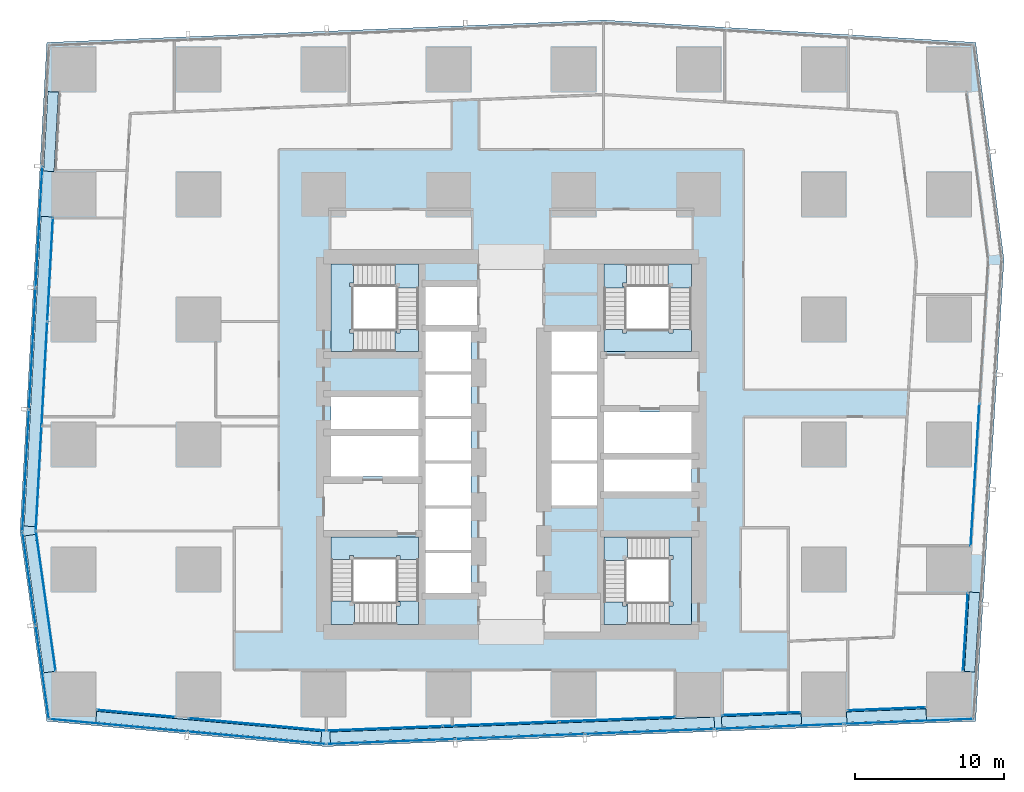
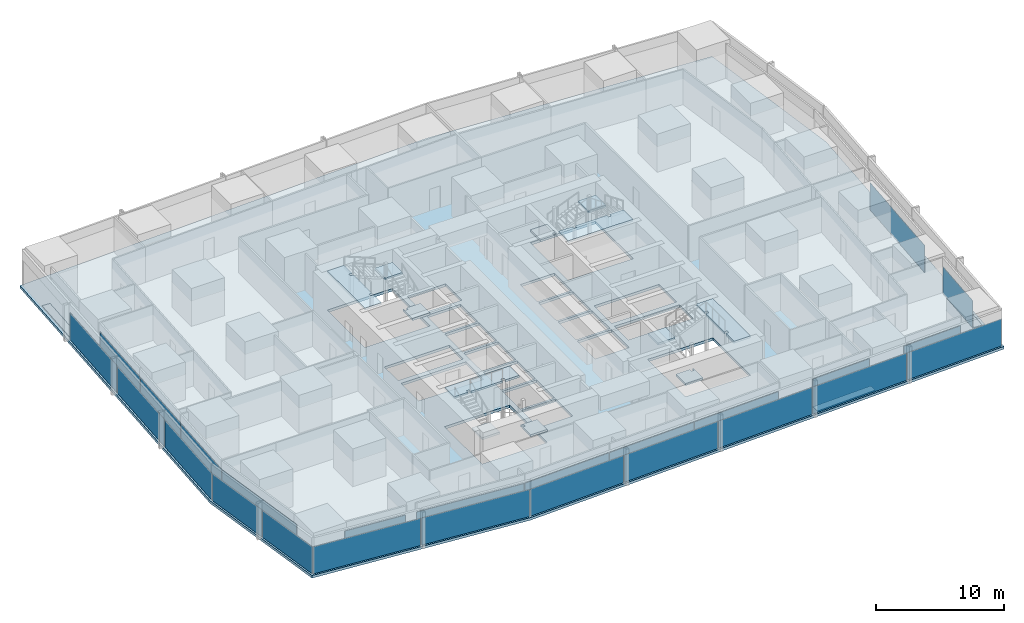
# One storey, part 27 of 39: 33 plates, 13 slabs, 17 elements without a shape of their own.
"""IFC4 building model written with IfcOpenShell, lengths in metres."""

from ifc_helpers import new_model, si_unit, direction, frame, origin, origin_2d, place, context, subcontext, project, spatial, polyline, rectangle, outline, extrude, material, layer, layer_set, type_object, element, aggregate, save


model = new_model("IFC4")

# Units and contexts
model_context = context("Model", 3, precision=1e-05, world=origin(), true_north=direction((0.0, 1.0)))
body_context = subcontext(model_context, "Body", "Model", "MODEL_VIEW")
ifc_project = project(units=[si_unit("LENGTHUNIT", "METRE"), si_unit("AREAUNIT", "SQUARE_METRE"), si_unit("VOLUMEUNIT", "CUBIC_METRE"), si_unit("PLANEANGLEUNIT", "RADIAN"), si_unit("MASSUNIT", "GRAM", prefix="KILO")], contexts=[model_context])

# Site, building, storey
site_placement = place(None, origin())
site = spatial("IfcSite", under=ifc_project, at=site_placement, CompositionType="ELEMENT")
building_placement = place(site_placement, origin())
building = spatial("IfcBuilding", under=site, at=building_placement, Name="Rekha Terrace Tower", CompositionType="ELEMENT")
storey_placement = place(building_placement, frame((0.0, 0.0, 155.300048828125)))
storey = spatial("IfcBuildingStorey", under=building, at=storey_placement, Name="L39", CompositionType="ELEMENT", Elevation=155.300048828125)

# Curtain wall, plate
ifc_material_1 = material(Name="Aluminium framing", Category="aluminium")
curtain_wall_type_1 = type_object("IfcCurtainWallType", Name="CW1 double skin inner glazing", PredefinedType="USERDEFINED", material=ifc_material_1)
curtain_wall_1_placement = place(storey_placement, origin())
curtain_wall_1 = element("IfcCurtainWall", 1, at=curtain_wall_1_placement, inside=storey, type_object=curtain_wall_type_1, Name="CW1 double skin inner glazing", ObjectType="DOUBLE SKIN INNER GLAZING", PredefinedType="USERDEFINED")
ifc_material_2 = material(Name="Double-glazed low-e unit 32", Category="glass")
ifc_layer_1 = layer(ifc_material_2, 0.031982421875)
ifc_layer_set_1 = layer_set([ifc_layer_1], Name="Double-glazed low-e unit 32")
plate_type_1 = type_object("IfcPlateType", Name="CW1 jumbo vision panel, double-glazed low-e unit 32", PredefinedType="CURTAIN_PANEL", material=ifc_layer_set_1)
plate_1_placement = place(storey_placement, frame((12.60009765625, 15.51953125, 0.0), z_axis=(0.0, 0.0, 1.0), x_axis=(0.995901923134, -0.090439811468, 0.0)))
plate_1 = element("IfcPlate", 2, at=plate_1_placement, type_object=plate_type_1, Name="CW1 panel 1.1", PredefinedType="CURTAIN_PANEL", context=body_context, shape_type="SweptSolid", body=[
    extrude(rectangle(XDim=5.23486328125, YDim=0.031982421875, at=origin_2d()), origin(), (0.0, 0.0, 1.0), 2.60009765625),
])
aggregate(curtain_wall_1, [plate_1])

curtain_wall_2_placement = place(storey_placement, origin())
curtain_wall_2 = element("IfcCurtainWall", 3, at=curtain_wall_2_placement, inside=storey, type_object=curtain_wall_type_1, Name="CW1 double skin inner glazing", ObjectType="DOUBLE SKIN INNER GLAZING", PredefinedType="USERDEFINED")
plate_2_placement = place(storey_placement, frame((20.745361328125, 14.77978515625, 0.0), z_axis=(0.0, 0.0, 1.0), x_axis=(0.995901923143, -0.090439811364, 0.0)))
plate_2 = element("IfcPlate", 4, at=plate_2_placement, type_object=plate_type_1, Name="CW1 panel 1.1", PredefinedType="CURTAIN_PANEL", context=body_context, shape_type="SweptSolid", body=[
    extrude(rectangle(XDim=9.241943359375, YDim=0.031982421875, at=origin_2d()), origin(), (0.0, 0.0, 1.0), 2.60009765625),
])
aggregate(curtain_wall_2, [plate_2])

# Curtain wall, plates
curtain_wall_3_placement = place(storey_placement, origin())
curtain_wall_3 = element("IfcCurtainWall", 5, at=curtain_wall_3_placement, inside=storey, type_object=curtain_wall_type_1, Name="CW1 double skin inner glazing", ObjectType="DOUBLE SKIN INNER GLAZING", PredefinedType="USERDEFINED")
plate_3_placement = place(storey_placement, frame((29.285888671875, 14.51513671875, 0.0), z_axis=(0.0, 0.0, 1.0), x_axis=(0.999243498917, 0.038889971345, 0.0)))
plate_3 = element("IfcPlate", 6, at=plate_3_placement, type_object=plate_type_1, Name="CW1 panel 1.1", PredefinedType="CURTAIN_PANEL", context=body_context, shape_type="SweptSolid", body=[
    extrude(rectangle(XDim=7.7529296875, YDim=0.031982421875, at=origin_2d()), origin(), (0.0, 0.0, 1.0), 2.60009765625),
])
plate_4_placement = place(storey_placement, frame((37.1142578125, 14.81982421875, 0.0), z_axis=(0.0, 0.0, 1.0), x_axis=(0.999243498917, 0.038889971345, 0.0)))
plate_4 = element("IfcPlate", 7, at=plate_4_placement, type_object=plate_type_1, Name="CW1 panel 2.1", PredefinedType="CURTAIN_PANEL", context=body_context, shape_type="SweptSolid", body=[
    extrude(rectangle(XDim=7.785400390625, YDim=0.031982421875, at=origin_2d()), origin(), (0.0, 0.0, 1.0), 2.60009765625),
])
plate_5_placement = place(storey_placement, frame((44.9423828125, 15.12451171875, 0.0), z_axis=(0.0, 0.0, 1.0), x_axis=(0.999243498917, 0.038889971345, 0.0)))
plate_5 = element("IfcPlate", 8, at=plate_5_placement, type_object=plate_type_1, Name="CW1 panel 3.1", PredefinedType="CURTAIN_PANEL", context=body_context, shape_type="SweptSolid", body=[
    extrude(rectangle(XDim=7.7529296875, YDim=0.031982421875, at=origin_2d()), origin(), (0.0, 0.0, 1.0), 2.60009765625),
])
aggregate(curtain_wall_3, [plate_3, plate_4, plate_5])

# Curtain wall, plate
curtain_wall_4_placement = place(storey_placement, origin())
curtain_wall_4 = element("IfcCurtainWall", 9, at=curtain_wall_4_placement, inside=storey, type_object=curtain_wall_type_1, Name="CW1 double skin inner glazing", ObjectType="DOUBLE SKIN INNER GLAZING", PredefinedType="USERDEFINED")
plate_6_placement = place(storey_placement, frame((54.60009765625, 15.500244140625, 0.0), z_axis=(0.0, 0.0, 1.0), x_axis=(0.999243498918, 0.038889971328, 0.0)))
plate_6 = element("IfcPlate", 10, at=plate_6_placement, type_object=plate_type_1, Name="CW1 panel 1.1", PredefinedType="CURTAIN_PANEL", context=body_context, shape_type="SweptSolid", body=[
    extrude(rectangle(XDim=5.226806640625, YDim=0.031982421875, at=origin_2d()), origin(), (0.0, 0.0, 1.0), 2.60009765625),
])
aggregate(curtain_wall_4, [plate_6])

curtain_wall_5_placement = place(storey_placement, origin())
curtain_wall_5 = element("IfcCurtainWall", 11, at=curtain_wall_5_placement, inside=storey, type_object=curtain_wall_type_1, Name="CW1 double skin inner glazing", ObjectType="DOUBLE SKIN INNER GLAZING", PredefinedType="USERDEFINED")
plate_7_placement = place(storey_placement, frame((63.0, 15.827392578125, 0.0), z_axis=(0.0, 0.0, 1.0), x_axis=(0.999243498918, 0.038889971328, 0.0)))
plate_7 = element("IfcPlate", 12, at=plate_7_placement, type_object=plate_type_1, Name="CW1 panel 1.1", PredefinedType="CURTAIN_PANEL", context=body_context, shape_type="SweptSolid", body=[
    extrude(rectangle(XDim=5.226806640625, YDim=0.031982421875, at=origin_2d()), origin(), (0.0, 0.0, 1.0), 2.60009765625),
])
aggregate(curtain_wall_5, [plate_7])

curtain_wall_6_placement = place(storey_placement, origin())
curtain_wall_6 = element("IfcCurtainWall", 13, at=curtain_wall_6_placement, inside=storey, type_object=curtain_wall_type_1, Name="CW1 double skin inner glazing", ObjectType="DOUBLE SKIN INNER GLAZING", PredefinedType="USERDEFINED")
plate_8_placement = place(storey_placement, frame((68.3056640625, 21.0, 0.0), z_axis=(0.0, 0.0, 1.0), x_axis=(0.061159803166, 0.998127987022, 0.0)))
plate_8 = element("IfcPlate", 14, at=plate_8_placement, type_object=plate_type_1, Name="CW1 panel 1.1", PredefinedType="CURTAIN_PANEL", context=body_context, shape_type="SweptSolid", body=[
    extrude(rectangle(XDim=5.228515625, YDim=0.031982421875, at=origin_2d()), origin(), (0.0, 0.0, 1.0), 2.60009765625),
])
aggregate(curtain_wall_6, [plate_8])

curtain_wall_7_placement = place(storey_placement, origin())
curtain_wall_7 = element("IfcCurtainWall", 15, at=curtain_wall_7_placement, inside=storey, type_object=curtain_wall_type_1, Name="CW1 double skin inner glazing", ObjectType="DOUBLE SKIN INNER GLAZING", PredefinedType="USERDEFINED")
plate_9_placement = place(storey_placement, frame((68.9521484375, 31.55126953125, 0.0), z_axis=(0.0, 0.0, 1.0), x_axis=(0.061159803148, 0.998127987023, 0.0)))
plate_9 = element("IfcPlate", 16, at=plate_9_placement, type_object=plate_type_1, Name="CW1 panel 1.1", PredefinedType="CURTAIN_PANEL", context=body_context, shape_type="SweptSolid", body=[
    extrude(rectangle(XDim=9.544921875, YDim=0.031982421875, at=origin_2d()), origin(), (0.0, 0.0, 1.0), 2.60009765625),
])
aggregate(curtain_wall_7, [plate_9])

# Curtain wall, plates
curtain_wall_8_placement = place(storey_placement, origin())
curtain_wall_8 = element("IfcCurtainWall", 17, at=curtain_wall_8_placement, inside=storey, type_object=curtain_wall_type_1, Name="CW1 double skin inner glazing", ObjectType="DOUBLE SKIN INNER GLAZING", PredefinedType="USERDEFINED")
plate_10_placement = place(storey_placement, frame((6.825439453125, 45.348388671875, 0.0), z_axis=(0.0, 0.0, 1.0), x_axis=(-0.05474235269, -0.998500513181, 0.0)))
plate_10 = element("IfcPlate", 18, at=plate_10_placement, type_object=plate_type_1, Name="CW1 panel 1.1", PredefinedType="CURTAIN_PANEL", context=body_context, shape_type="SweptSolid", body=[
    extrude(rectangle(XDim=6.93359375, YDim=0.031982421875, at=origin_2d()), origin(), (0.0, 0.0, 1.0), 2.60009765625),
])
plate_11_placement = place(storey_placement, frame((6.44140625, 38.343994140625, 0.0), z_axis=(0.0, 0.0, 1.0), x_axis=(-0.05474235269, -0.998500513181, 0.0)))
plate_11 = element("IfcPlate", 19, at=plate_11_placement, type_object=plate_type_1, Name="CW1 panel 2.1", PredefinedType="CURTAIN_PANEL", context=body_context, shape_type="SweptSolid", body=[
    extrude(rectangle(XDim=6.966064453125, YDim=0.031982421875, at=origin_2d()), origin(), (0.0, 0.0, 1.0), 2.60009765625),
])
plate_12_placement = place(storey_placement, frame((6.0556640625, 31.307373046875, 0.0), z_axis=(0.0, 0.0, 1.0), x_axis=(-0.05474235269, -0.998500513181, 0.0)))
plate_12 = element("IfcPlate", 20, at=plate_12_placement, type_object=plate_type_1, Name="CW1 panel 3.1", PredefinedType="CURTAIN_PANEL", context=body_context, shape_type="SweptSolid", body=[
    extrude(rectangle(XDim=6.99853515625, YDim=0.031982421875, at=origin_2d()), origin(), (0.0, 0.0, 1.0), 2.60009765625),
])
aggregate(curtain_wall_8, [plate_10, plate_11, plate_12])

# Curtain wall, plate
curtain_wall_9_placement = place(storey_placement, origin())
curtain_wall_9 = element("IfcCurtainWall", 21, at=curtain_wall_9_placement, inside=storey, type_object=curtain_wall_type_1, Name="CW1 double skin inner glazing", ObjectType="DOUBLE SKIN INNER GLAZING", PredefinedType="USERDEFINED")
plate_13_placement = place(storey_placement, frame((6.5322265625, 23.0732421875, 0.0), z_axis=(0.0, 0.0, 1.0), x_axis=(0.139597048047, -0.990208394317, 0.0)))
plate_13 = element("IfcPlate", 22, at=plate_13_placement, type_object=plate_type_1, Name="CW1 panel 1.1", PredefinedType="CURTAIN_PANEL", context=body_context, shape_type="SweptSolid", body=[
    extrude(rectangle(XDim=9.444091796875, YDim=0.031982421875, at=origin_2d()), origin(), (0.0, 0.0, 1.0), 2.60009765625),
])
aggregate(curtain_wall_9, [plate_13])

# Curtain wall, plates
curtain_wall_type_2 = type_object("IfcCurtainWallType", Name="CW2 double skin outer glazing", PredefinedType="USERDEFINED", material=ifc_material_1)
curtain_wall_10_placement = place(storey_placement, origin())
curtain_wall_10 = element("IfcCurtainWall", 23, at=curtain_wall_10_placement, inside=storey, type_object=curtain_wall_type_2, Name="CW2 double skin outer glazing", ObjectType="DOUBLE SKIN OUTER GLAZING", PredefinedType="USERDEFINED")
ifc_material_3 = material(Name="Toughened single glazing 12", Category="glass")
ifc_layer_2 = layer(ifc_material_3, 0.011962890625)
ifc_layer_set_2 = layer_set([ifc_layer_2], Name="Toughened single glazing 12")
plate_type_2 = type_object("IfcPlateType", Name="CW2 jumbo vision panel, toughened single glazing 12", PredefinedType="CURTAIN_PANEL", material=ifc_layer_set_2)
plate_14_placement = place(storey_placement, frame((11.406494140625, 14.72412109375, 0.0), z_axis=(0.0, 0.0, 1.0), x_axis=(0.995901923137, -0.090439811433, 0.0)))
plate_14 = element("IfcPlate", 24, at=plate_14_placement, type_object=plate_type_2, Name="CW2 panel 1.1", PredefinedType="CURTAIN_PANEL", context=body_context, shape_type="SweptSolid", body=[
    extrude(rectangle(XDim=9.2099609375, YDim=0.011962890625, at=origin_2d()), origin(), (0.0, 0.0, 1.0), 2.60009765625),
])
plate_15_placement = place(storey_placement, frame((20.6982421875, 13.88037109375, 0.0), z_axis=(0.0, 0.0, 1.0), x_axis=(0.995901923137, -0.090439811433, 0.0)))
plate_15 = element("IfcPlate", 25, at=plate_15_placement, type_object=plate_type_2, Name="CW2 panel 2.1", PredefinedType="CURTAIN_PANEL", context=body_context, shape_type="SweptSolid", body=[
    extrude(rectangle(XDim=9.2900390625, YDim=0.011962890625, at=origin_2d()), origin(), (0.0, 0.0, 1.0), 2.60009765625),
])
aggregate(curtain_wall_10, [plate_14, plate_15])

curtain_wall_11_placement = place(storey_placement, origin())
curtain_wall_11 = element("IfcCurtainWall", 26, at=curtain_wall_11_placement, inside=storey, type_object=curtain_wall_type_2, Name="CW2 double skin outer glazing", ObjectType="DOUBLE SKIN OUTER GLAZING", PredefinedType="USERDEFINED")
plate_16_placement = place(storey_placement, frame((29.696533203125, 13.63037109375, 0.0), z_axis=(0.0, 0.0, 1.0), x_axis=(0.999243498917, 0.038889971345, 0.0)))
plate_16 = element("IfcPlate", 27, at=plate_16_placement, type_object=plate_type_2, Name="CW2 panel 1.1", PredefinedType="CURTAIN_PANEL", context=body_context, shape_type="SweptSolid", body=[
    extrude(rectangle(XDim=8.591552734375, YDim=0.011962890625, at=origin_2d()), origin(), (0.0, 0.0, 1.0), 2.60009765625),
])
plate_17_placement = place(storey_placement, frame((38.381591796875, 13.968505859375, 0.0), z_axis=(0.0, 0.0, 1.0), x_axis=(0.999243498917, 0.038889971345, 0.0)))
plate_17 = element("IfcPlate", 28, at=plate_17_placement, type_object=plate_type_2, Name="CW2 panel 2.1", PredefinedType="CURTAIN_PANEL", context=body_context, shape_type="SweptSolid", body=[
    extrude(rectangle(XDim=8.631591796875, YDim=0.011962890625, at=origin_2d()), origin(), (0.0, 0.0, 1.0), 2.60009765625),
])
plate_18_placement = place(storey_placement, frame((47.086669921875, 14.307373046875, 0.0), z_axis=(0.0, 0.0, 1.0), x_axis=(0.999243498917, 0.038889971345, 0.0)))
plate_18 = element("IfcPlate", 29, at=plate_18_placement, type_object=plate_type_2, Name="CW2 panel 3.1", PredefinedType="CURTAIN_PANEL", context=body_context, shape_type="SweptSolid", body=[
    extrude(rectangle(XDim=8.631591796875, YDim=0.011962890625, at=origin_2d()), origin(), (0.0, 0.0, 1.0), 2.60009765625),
])
plate_19_placement = place(storey_placement, frame((55.791748046875, 14.64599609375, 0.0), z_axis=(0.0, 0.0, 1.0), x_axis=(0.999243498917, 0.038889971345, 0.0)))
plate_19 = element("IfcPlate", 30, at=plate_19_placement, type_object=plate_type_2, Name="CW2 panel 4.1", PredefinedType="CURTAIN_PANEL", context=body_context, shape_type="SweptSolid", body=[
    extrude(rectangle(XDim=8.631591796875, YDim=0.011962890625, at=origin_2d()), origin(), (0.0, 0.0, 1.0), 2.60009765625),
])
plate_20_placement = place(storey_placement, frame((64.5166015625, 14.985595703125, 0.0), z_axis=(0.0, 0.0, 1.0), x_axis=(0.999243498917, 0.038889971345, 0.0)))
plate_20 = element("IfcPlate", 31, at=plate_20_placement, type_object=plate_type_2, Name="CW2 panel 5.1", PredefinedType="CURTAIN_PANEL", context=body_context, shape_type="SweptSolid", body=[
    extrude(rectangle(XDim=8.671630859375, YDim=0.011962890625, at=origin_2d()), origin(), (0.0, 0.0, 1.0), 2.60009765625),
])
aggregate(curtain_wall_11, [plate_16, plate_17, plate_18, plate_19, plate_20])

curtain_wall_12_placement = place(storey_placement, origin())
curtain_wall_12 = element("IfcCurtainWall", 32, at=curtain_wall_12_placement, inside=storey, type_object=curtain_wall_type_2, Name="CW2 double skin outer glazing", ObjectType="DOUBLE SKIN OUTER GLAZING", PredefinedType="USERDEFINED")
plate_21_placement = place(storey_placement, frame((6.080078125, 48.1943359375, 0.0), z_axis=(0.0, 0.0, 1.0), x_axis=(-0.054742352707, -0.99850051318, 0.0)))
plate_21 = element("IfcPlate", 33, at=plate_21_placement, type_object=plate_type_2, Name="CW2 panel 2.1", PredefinedType="CURTAIN_PANEL", context=body_context, shape_type="SweptSolid", body=[
    extrude(rectangle(XDim=8.10009765625, YDim=0.011962890625, at=origin_2d()), origin(), (0.0, 0.0, 1.0), 2.60009765625),
])
plate_22_placement = place(storey_placement, frame((5.63232421875, 40.026611328125, 0.0), z_axis=(0.0, 0.0, 1.0), x_axis=(-0.054742352707, -0.99850051318, 0.0)))
plate_22 = element("IfcPlate", 34, at=plate_22_placement, type_object=plate_type_2, Name="CW2 panel 3.1", PredefinedType="CURTAIN_PANEL", context=body_context, shape_type="SweptSolid", body=[
    extrude(rectangle(XDim=8.10009765625, YDim=0.011962890625, at=origin_2d()), origin(), (0.0, 0.0, 1.0), 2.60009765625),
])
plate_23_placement = place(storey_placement, frame((5.183349609375, 31.8388671875, 0.0), z_axis=(0.0, 0.0, 1.0), x_axis=(-0.054742352707, -0.99850051318, 0.0)))
plate_23 = element("IfcPlate", 35, at=plate_23_placement, type_object=plate_type_2, Name="CW2 panel 4.1", PredefinedType="CURTAIN_PANEL", context=body_context, shape_type="SweptSolid", body=[
    extrude(rectangle(XDim=8.14013671875, YDim=0.011962890625, at=origin_2d()), origin(), (0.0, 0.0, 1.0), 2.60009765625),
])
aggregate(curtain_wall_12, [plate_21, plate_22, plate_23])

curtain_wall_13_placement = place(storey_placement, origin())
curtain_wall_13 = element("IfcCurtainWall", 36, at=curtain_wall_13_placement, inside=storey, type_object=curtain_wall_type_2, Name="CW2 double skin outer glazing", ObjectType="DOUBLE SKIN OUTER GLAZING", PredefinedType="USERDEFINED")
plate_24_placement = place(storey_placement, frame((5.408447265625, 24.598388671875, 0.0), z_axis=(0.0, 0.0, 1.0), x_axis=(0.139597048082, -0.990208394312, 0.0)))
plate_24 = element("IfcPlate", 37, at=plate_24_placement, type_object=plate_type_2, Name="CW2 panel 1.1", PredefinedType="CURTAIN_PANEL", context=body_context, shape_type="SweptSolid", body=[
    extrude(rectangle(XDim=6.255859375, YDim=0.011962890625, at=origin_2d()), origin(), (0.0, 0.0, 1.0), 2.60009765625),
])
plate_25_placement = place(storey_placement, frame((6.298583984375, 18.284912109375, 0.0), z_axis=(0.0, 0.0, 1.0), x_axis=(0.139597048082, -0.990208394312, 0.0)))
plate_25 = element("IfcPlate", 38, at=plate_25_placement, type_object=plate_type_2, Name="CW2 panel 2.1", PredefinedType="CURTAIN_PANEL", context=body_context, shape_type="SweptSolid", body=[
    extrude(rectangle(XDim=6.3359375, YDim=0.011962890625, at=origin_2d()), origin(), (0.0, 0.0, 1.0), 2.60009765625),
])
aggregate(curtain_wall_13, [plate_24, plate_25])

# Plates
ifc_material_4 = material(Name="Galvanised steel open grating", Category="steel")
ifc_layer_3 = layer(ifc_material_4, 0.050048828125)
ifc_layer_set_3 = layer_set([ifc_layer_3], Name="Galvanised steel open grating")
plate_type_3 = type_object("IfcPlateType", Name="GT1 cavity walkway grating 50", PredefinedType="USERDEFINED", material=ifc_layer_set_3)
plate_26_placement = place(storey_placement, frame((17.47900390625, 14.62451171875, 0.0), z_axis=(0.0, 0.0, 1.0), x_axis=(0.99590192314, -0.090439811399, 0.0)))
element("IfcPlate", 39, at=plate_26_placement, inside=storey, type_object=plate_type_3, Name="Cavity walkway grating", ObjectType="CAVITY WALKWAY GRATING", PredefinedType="USERDEFINED", context=body_context, shape_type="SweptSolid", body=[
    extrude(rectangle(XDim=15.17822265625, YDim=0.705078125, at=origin_2d()), origin(), (0.0, 0.0, 1.0), 0.050048828125),
])
plate_27_placement = place(storey_placement, frame((38.537353515625, 14.4248046875, 0.0), z_axis=(0.0, 0.0, 1.0), x_axis=(0.999243498917, 0.038889971345, 0.0)))
element("IfcPlate", 40, at=plate_27_placement, inside=storey, type_object=plate_type_3, Name="Cavity walkway grating", ObjectType="CAVITY WALKWAY GRATING", PredefinedType="USERDEFINED", context=body_context, shape_type="SweptSolid", body=[
    extrude(rectangle(XDim=25.8232421875, YDim=0.705078125, at=origin_2d()), origin(), (0.0, 0.0, 1.0), 0.050048828125),
])
plate_28_placement = place(storey_placement, frame((54.610107421875, 15.05029296875, 0.0), z_axis=(0.0, 0.0, 1.0), x_axis=(0.999243498917, 0.038889971345, 0.0)))
element("IfcPlate", 41, at=plate_28_placement, inside=storey, type_object=plate_type_3, Name="Cavity walkway grating", ObjectType="CAVITY WALKWAY GRATING", PredefinedType="USERDEFINED", context=body_context, shape_type="SweptSolid", body=[
    extrude(rectangle(XDim=5.355224609375, YDim=0.705078125, at=origin_2d()), origin(), (0.0, 0.0, 1.0), 0.050048828125),
])
plate_29_placement = place(storey_placement, frame((63.003662109375, 15.377197265625, 0.0), z_axis=(0.0, 0.0, 1.0), x_axis=(0.999243498917, 0.038889971345, 0.0)))
element("IfcPlate", 42, at=plate_29_placement, inside=storey, type_object=plate_type_3, Name="Cavity walkway grating", ObjectType="CAVITY WALKWAY GRATING", PredefinedType="USERDEFINED", context=body_context, shape_type="SweptSolid", body=[
    extrude(rectangle(XDim=5.342529296875, YDim=0.705078125, at=origin_2d()), origin(), (0.0, 0.0, 1.0), 0.050048828125),
])
for number, where, z_axis, x_axis, name in (
    (43, (68.756103515625, 20.991943359375, 0.0), (0.0, 0.0, 1.0), (0.061159803131, 0.998127987024, 0.0), "Cavity walkway grating"),
    (44, (6.88232421875, 54.606689453125, 0.0), (0.0, 0.0, 1.0), (-0.05474235269, -0.998500513181, 0.0), "Cavity walkway grating"),
):
    element("IfcPlate", number, at=place(storey_placement, frame(where, z_axis=z_axis, x_axis=x_axis)), inside=storey, type_object=plate_type_3, Name=name, ObjectType="CAVITY WALKWAY GRATING", PredefinedType="USERDEFINED", context=body_context, shape_type="SweptSolid", body=[
        extrude(rectangle(XDim=5.340576171875, YDim=0.705078125, at=origin_2d()), origin(), (0.0, 0.0, 1.0), 0.050048828125),
    ])
plate_30_placement = place(storey_placement, frame((5.9990234375, 38.495849609375, 0.0), z_axis=(0.0, 0.0, 1.0), x_axis=(-0.05474235269, -0.998500513181, 0.0)))
element("IfcPlate", 45, at=plate_30_placement, inside=storey, type_object=plate_type_3, Name="Cavity walkway grating", ObjectType="CAVITY WALKWAY GRATING", PredefinedType="USERDEFINED", context=body_context, shape_type="SweptSolid", body=[
    extrude(rectangle(XDim=20.835693359375, YDim=0.705078125, at=origin_2d()), origin(), (0.0, 0.0, 1.0), 0.050048828125),
])
plate_31_placement = place(storey_placement, frame((6.1025390625, 22.898193359375, 0.0), z_axis=(0.0, 0.0, 1.0), x_axis=(0.139597048064, -0.990208394315, 0.0)))
element("IfcPlate", 46, at=plate_31_placement, inside=storey, type_object=plate_type_3, Name="Cavity walkway grating", ObjectType="CAVITY WALKWAY GRATING", PredefinedType="USERDEFINED", context=body_context, shape_type="SweptSolid", body=[
    extrude(rectangle(XDim=9.288818359375, YDim=0.705078125, at=origin_2d()), origin(), (0.0, 0.0, 1.0), 0.050048828125),
])

# Stair, slabs
ifc_material_5 = material(Name="Concrete M40", Category="concrete")
stair_type = type_object("IfcStairType", Name="ST30 stair, 30 risers of 125, going 310, 1500 wide flights, 3 flights", PredefinedType="HALF_TURN_STAIR", material=ifc_material_5)
stair_1_placement = place(storey_placement, origin())
stair_1 = element("IfcStair", 47, at=stair_1_placement, inside=storey, type_object=stair_type, Name="Stair ST1 L39 to L40", PredefinedType="HALF_TURN_STAIR")
ifc_layer_4 = layer(ifc_material_5, 0.199951171875)
ifc_layer_set_4 = layer_set([ifc_layer_4], Name="Concrete M40")
slab_type_1 = type_object("IfcSlabType", Name="LD1 200 concrete stair landing", PredefinedType="LANDING", material=ifc_layer_set_4)
slab_1_placement = place(storey_placement, frame((0.0, 0.0, 1.050048828125)))
slab_1 = element("IfcSlab", 48, at=slab_1_placement, type_object=slab_type_1, Name="ST1 landing 1", PredefinedType="LANDING", context=body_context, shape_type="SweptSolid", body=[
    extrude(outline(polyline([(30.074951171875, 21.5), (31.574951171875, 21.5), (31.574951171875, 23.0849609375), (30.074951171875, 23.0849609375), (30.074951171875, 23.0), (30.324951171875, 23.0), (30.324951171875, 22.75), (30.074951171875, 22.75), (30.074951171875, 21.5)])), origin(), (0.0, 0.0, 1.0), 0.199951171875),
])
slab_2_placement = place(storey_placement, frame((0.0, 0.0, 2.300048828125)))
slab_2 = element("IfcSlab", 49, at=slab_2_placement, type_object=slab_type_1, Name="ST1 landing 2", PredefinedType="LANDING", context=body_context, shape_type="SweptSolid", body=[
    extrude(outline(polyline([(27.199951171875, 23.0849609375), (25.699951171875, 23.0849609375), (25.699951171875, 21.5), (27.284912109375, 21.5), (27.284912109375, 23.0), (27.199951171875, 23.0), (27.199951171875, 23.0849609375)])), origin(), (0.0, 0.0, 1.0), 0.199951171875),
])
slab_3_placement = place(storey_placement, frame((0.0, 0.0, 3.550048828125)))
slab_3 = element("IfcSlab", 50, at=slab_3_placement, type_object=slab_type_1, Name="ST1 landing 3", PredefinedType="LANDING", context=body_context, shape_type="SweptSolid", body=[
    extrude(outline(polyline([(31.574951171875, 25.875), (31.574951171875, 27.375), (25.699951171875, 27.375), (25.699951171875, 25.875), (26.949951171875, 25.875), (26.949951171875, 26.125), (27.199951171875, 26.125), (27.199951171875, 25.875), (30.074951171875, 25.875), (30.074951171875, 26.125), (30.324951171875, 26.125), (30.324951171875, 25.875), (31.574951171875, 25.875)])), origin(), (0.0, 0.0, 1.0), 0.199951171875),
])
aggregate(stair_1, [slab_1, slab_2, slab_3])

stair_2_placement = place(storey_placement, origin())
stair_2 = element("IfcStair", 51, at=stair_2_placement, inside=storey, type_object=stair_type, Name="Stair ST2 L39 to L40", PredefinedType="HALF_TURN_STAIR")
slab_4_placement = place(storey_placement, frame((0.0, 0.0, 1.050048828125)))
slab_4 = element("IfcSlab", 52, at=slab_4_placement, type_object=slab_type_1, Name="ST2 landing 1", PredefinedType="LANDING", context=body_context, shape_type="SweptSolid", body=[
    extrude(outline(polyline([(45.52490234375, 45.699951171875), (44.02490234375, 45.699951171875), (44.02490234375, 44.114990234375), (45.52490234375, 44.114990234375), (45.52490234375, 44.199951171875), (45.27490234375, 44.199951171875), (45.27490234375, 44.449951171875), (45.52490234375, 44.449951171875), (45.52490234375, 45.699951171875)])), origin(), (0.0, 0.0, 1.0), 0.199951171875),
])
slab_5_placement = place(storey_placement, frame((0.0, 0.0, 2.300048828125)))
slab_5 = element("IfcSlab", 53, at=slab_5_placement, type_object=slab_type_1, Name="ST2 landing 2", PredefinedType="LANDING", context=body_context, shape_type="SweptSolid", body=[
    extrude(outline(polyline([(48.39990234375, 44.114990234375), (49.89990234375, 44.114990234375), (49.89990234375, 45.699951171875), (48.31494140625, 45.699951171875), (48.31494140625, 44.199951171875), (48.39990234375, 44.199951171875), (48.39990234375, 44.114990234375)])), origin(), (0.0, 0.0, 1.0), 0.199951171875),
])
slab_6_placement = place(storey_placement, frame((0.0, 0.0, 3.550048828125)))
slab_6 = element("IfcSlab", 54, at=slab_6_placement, type_object=slab_type_1, Name="ST2 landing 3", PredefinedType="LANDING", context=body_context, shape_type="SweptSolid", body=[
    extrude(outline(polyline([(44.02490234375, 41.324951171875), (44.02490234375, 39.824951171875), (49.89990234375, 39.824951171875), (49.89990234375, 41.324951171875), (48.64990234375, 41.324951171875), (48.64990234375, 41.074951171875), (48.39990234375, 41.074951171875), (48.39990234375, 41.324951171875), (45.52490234375, 41.324951171875), (45.52490234375, 41.074951171875), (45.27490234375, 41.074951171875), (45.27490234375, 41.324951171875), (44.02490234375, 41.324951171875)])), origin(), (0.0, 0.0, 1.0), 0.199951171875),
])
aggregate(stair_2, [slab_4, slab_5, slab_6])

stair_3_placement = place(storey_placement, origin())
stair_3 = element("IfcStair", 55, at=stair_3_placement, inside=storey, type_object=stair_type, Name="Stair ST3 L39 to L40", PredefinedType="HALF_TURN_STAIR")
slab_7_placement = place(storey_placement, frame((0.0, 0.0, 1.050048828125)))
slab_7 = element("IfcSlab", 56, at=slab_7_placement, type_object=slab_type_1, Name="ST3 landing 1", PredefinedType="LANDING", context=body_context, shape_type="SweptSolid", body=[
    extrude(outline(polyline([(44.02490234375, 23.0), (44.02490234375, 21.5), (45.610107421875, 21.5), (45.610107421875, 23.0), (45.52490234375, 23.0), (45.52490234375, 22.75), (45.27490234375, 22.75), (45.27490234375, 23.0), (44.02490234375, 23.0)])), origin(), (0.0, 0.0, 1.0), 0.199951171875),
])
slab_8_placement = place(storey_placement, frame((0.0, 0.0, 2.300048828125)))
slab_8 = element("IfcSlab", 57, at=slab_8_placement, type_object=slab_type_1, Name="ST3 landing 2", PredefinedType="LANDING", context=body_context, shape_type="SweptSolid", body=[
    extrude(outline(polyline([(45.610107421875, 25.875), (45.610107421875, 27.375), (44.02490234375, 27.375), (44.02490234375, 25.7900390625), (45.52490234375, 25.7900390625), (45.52490234375, 25.875), (45.610107421875, 25.875)])), origin(), (0.0, 0.0, 1.0), 0.199951171875),
])
slab_9_placement = place(storey_placement, frame((0.0, 0.0, 3.550048828125)))
slab_9 = element("IfcSlab", 58, at=slab_9_placement, type_object=slab_type_1, Name="ST3 landing 3", PredefinedType="LANDING", context=body_context, shape_type="SweptSolid", body=[
    extrude(outline(polyline([(48.39990234375, 21.5), (49.89990234375, 21.5), (49.89990234375, 27.375), (48.39990234375, 27.375), (48.39990234375, 26.125), (48.64990234375, 26.125), (48.64990234375, 25.875), (48.39990234375, 25.875), (48.39990234375, 23.0), (48.64990234375, 23.0), (48.64990234375, 22.75), (48.39990234375, 22.75), (48.39990234375, 21.5)])), origin(), (0.0, 0.0, 1.0), 0.199951171875),
])
aggregate(stair_3, [slab_7, slab_8, slab_9])

stair_4_placement = place(storey_placement, origin())
stair_4 = element("IfcStair", 59, at=stair_4_placement, inside=storey, type_object=stair_type, Name="Stair ST4 L39 to L40", PredefinedType="HALF_TURN_STAIR")
slab_10_placement = place(storey_placement, frame((0.0, 0.0, 1.050048828125)))
slab_10 = element("IfcSlab", 60, at=slab_10_placement, type_object=slab_type_1, Name="ST4 landing 1", PredefinedType="LANDING", context=body_context, shape_type="SweptSolid", body=[
    extrude(outline(polyline([(31.574951171875, 41.324951171875), (31.574951171875, 39.824951171875), (29.989990234375, 39.824951171875), (29.989990234375, 41.324951171875), (30.074951171875, 41.324951171875), (30.074951171875, 41.074951171875), (30.324951171875, 41.074951171875), (30.324951171875, 41.324951171875), (31.574951171875, 41.324951171875)])), origin(), (0.0, 0.0, 1.0), 0.199951171875),
])
slab_11_placement = place(storey_placement, frame((0.0, 0.0, 2.300048828125)))
slab_11 = element("IfcSlab", 61, at=slab_11_placement, type_object=slab_type_1, Name="ST4 landing 2", PredefinedType="LANDING", context=body_context, shape_type="SweptSolid", body=[
    extrude(outline(polyline([(29.989990234375, 44.199951171875), (29.989990234375, 45.699951171875), (31.574951171875, 45.699951171875), (31.574951171875, 44.114990234375), (30.074951171875, 44.114990234375), (30.074951171875, 44.199951171875), (29.989990234375, 44.199951171875)])), origin(), (0.0, 0.0, 1.0), 0.199951171875),
])
slab_12_placement = place(storey_placement, frame((0.0, 0.0, 3.550048828125)))
slab_12 = element("IfcSlab", 62, at=slab_12_placement, type_object=slab_type_1, Name="ST4 landing 3", PredefinedType="LANDING", context=body_context, shape_type="SweptSolid", body=[
    extrude(outline(polyline([(27.199951171875, 39.824951171875), (25.699951171875, 39.824951171875), (25.699951171875, 45.699951171875), (27.199951171875, 45.699951171875), (27.199951171875, 44.449951171875), (26.949951171875, 44.449951171875), (26.949951171875, 44.199951171875), (27.199951171875, 44.199951171875), (27.199951171875, 41.324951171875), (26.949951171875, 41.324951171875), (26.949951171875, 41.074951171875), (27.199951171875, 41.074951171875), (27.199951171875, 39.824951171875)])), origin(), (0.0, 0.0, 1.0), 0.199951171875),
])
aggregate(stair_4, [slab_10, slab_11, slab_12])

# Slab
ifc_material_6 = material(Name="Concrete M50", Category="concrete")
ifc_layer_5 = layer(ifc_material_6, 0.25)
ifc_layer_set_5 = layer_set([ifc_layer_5], Name="Concrete M50")
slab_type_2 = type_object("IfcSlabType", Name="SL4 250 post-tensioned flat plate", PredefinedType="FLOOR", material=ifc_layer_set_5)
slab_13_placement = place(storey_placement, frame((0.0, 0.0, -0.25)))
element("IfcSlab", 63, at=slab_13_placement, inside=storey, type_object=slab_type_2, Name="Post-tensioned flat plate L39", PredefinedType="FLOOR", context=body_context, shape_type="SweptSolid", body=[
    extrude(outline(polyline([(4.800048828125, 27.76806640625), (6.60009765625, 15.0), (25.320068359375, 13.300048828125), (69.0, 15.0), (70.89990234375, 46.008056640625), (69.0, 60.60009765625), (44.0400390625, 62.10009765625), (6.60009765625, 60.60009765625), (4.800048828125, 27.76806640625)]), holes=[polyline([(31.574951171875, 27.375), (31.574951171875, 21.5), (25.699951171875, 21.5), (25.699951171875, 27.375), (31.574951171875, 27.375)]), polyline([(35.10009765625, 26.300048828125), (35.10009765625, 23.625), (32.02490234375, 23.625), (32.02490234375, 26.300048828125), (35.10009765625, 26.300048828125)]), polyline([(35.10009765625, 29.300048828125), (35.10009765625, 26.5), (32.02490234375, 26.5), (32.02490234375, 29.300048828125), (35.10009765625, 29.300048828125)]), polyline([(35.10009765625, 32.300048828125), (35.10009765625, 29.5), (32.02490234375, 29.5), (32.02490234375, 32.300048828125), (35.10009765625, 32.300048828125)]), polyline([(31.574951171875, 34.175048828125), (31.574951171875, 31.425048828125), (25.699951171875, 31.425048828125), (25.699951171875, 34.175048828125), (31.574951171875, 34.175048828125)]), polyline([(35.10009765625, 35.300048828125), (35.10009765625, 32.5), (32.02490234375, 32.5), (32.02490234375, 35.300048828125), (35.10009765625, 35.300048828125)]), polyline([(31.574951171875, 36.77490234375), (31.574951171875, 34.625), (25.699951171875, 34.625), (25.699951171875, 36.77490234375), (31.574951171875, 36.77490234375)]), polyline([(35.10009765625, 35.5), (32.02490234375, 35.5), (32.02490234375, 38.300048828125), (35.10009765625, 38.300048828125), (35.10009765625, 35.5)]), polyline([(35.10009765625, 38.5), (32.02490234375, 38.5), (32.02490234375, 41.175048828125), (35.10009765625, 41.175048828125), (35.10009765625, 38.5)]), polyline([(31.574951171875, 45.699951171875), (31.574951171875, 39.824951171875), (25.699951171875, 39.824951171875), (25.699951171875, 45.699951171875), (31.574951171875, 45.699951171875)]), polyline([(49.89990234375, 27.375), (49.89990234375, 21.5), (44.02490234375, 21.5), (44.02490234375, 27.375), (49.89990234375, 27.375)]), polyline([(43.574951171875, 32.300048828125), (43.574951171875, 29.5), (40.5, 29.5), (40.5, 32.300048828125), (43.574951171875, 32.300048828125)]), polyline([(49.89990234375, 30.425048828125), (44.02490234375, 30.425048828125), (44.02490234375, 32.574951171875), (49.89990234375, 32.574951171875), (49.89990234375, 30.425048828125)]), polyline([(43.574951171875, 32.5), (40.5, 32.5), (40.5, 35.300048828125), (43.574951171875, 35.300048828125), (43.574951171875, 32.5)]), polyline([(49.89990234375, 35.77490234375), (49.89990234375, 33.02490234375), (44.02490234375, 33.02490234375), (44.02490234375, 35.77490234375), (49.89990234375, 35.77490234375)]), polyline([(43.574951171875, 38.300048828125), (43.574951171875, 35.5), (40.5, 35.5), (40.5, 38.300048828125), (43.574951171875, 38.300048828125)]), polyline([(43.574951171875, 41.175048828125), (43.574951171875, 38.5), (40.5, 38.5), (40.5, 41.175048828125), (43.574951171875, 41.175048828125)]), polyline([(49.89990234375, 39.824951171875), (44.02490234375, 39.824951171875), (44.02490234375, 45.699951171875), (49.89990234375, 45.699951171875), (49.89990234375, 39.824951171875)]), polyline([(35.5, 41.625), (32.02490234375, 41.625), (32.02490234375, 44.175048828125), (35.5, 44.175048828125), (35.5, 41.625)])]), origin(), (0.0, 0.0, 1.0), 0.25),
])

save(model, "model.ifc")
